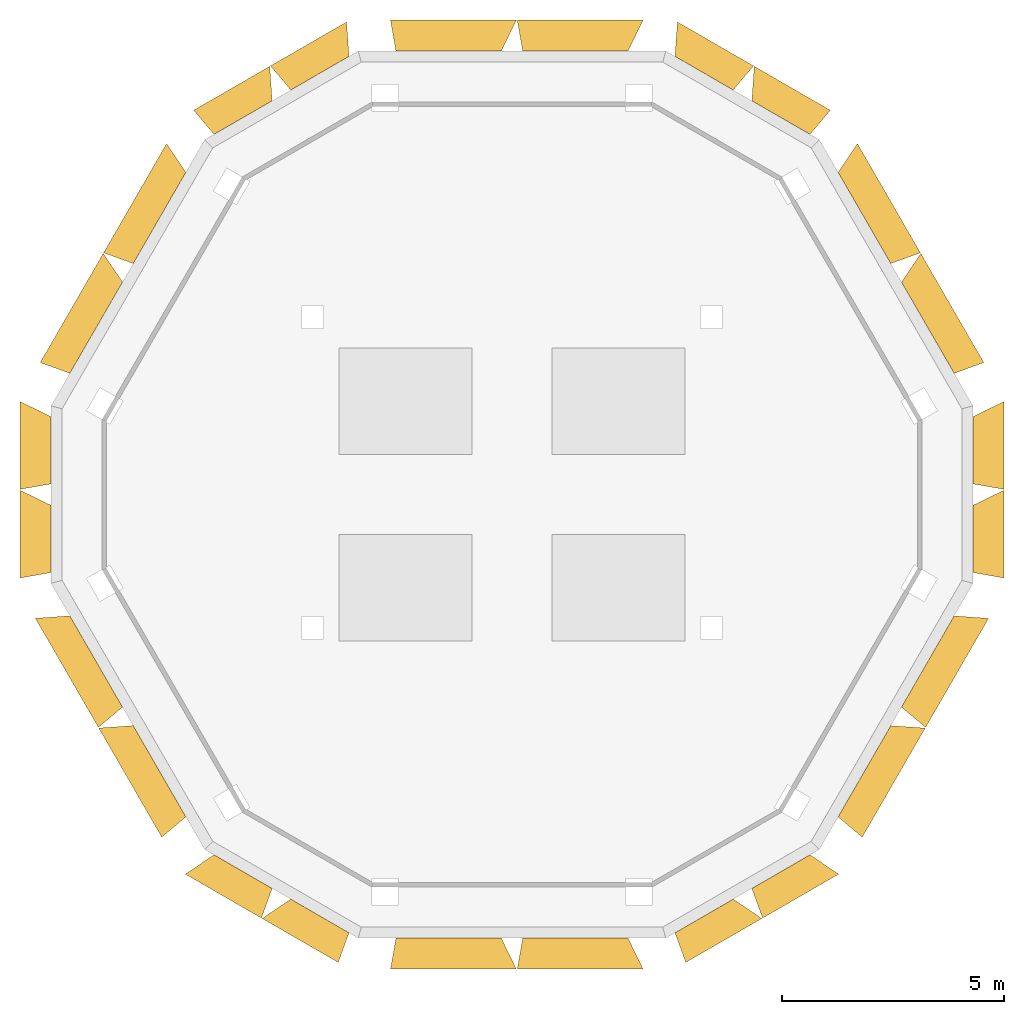
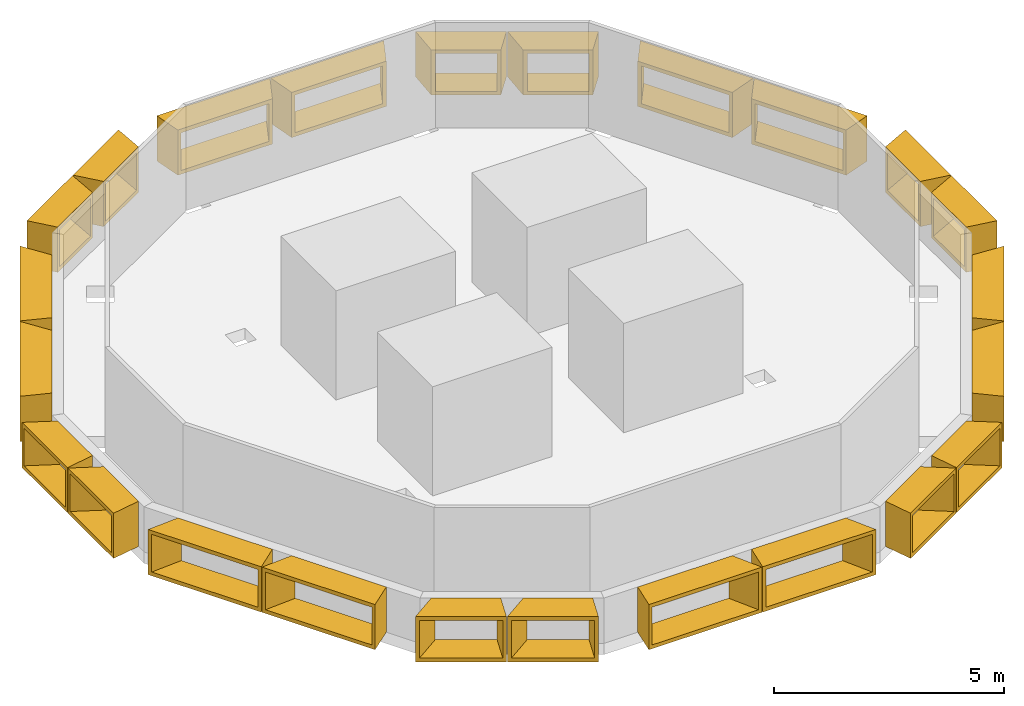
# One storey, part 2 of 3: 24 shading devices.
"""IFC4 building model written with IfcOpenShell, lengths in metres."""

import ifcopenshell
import ifcopenshell.guid

model = None  # the IFC model being written
_history = None  # IfcOwnerHistory: only IFC2X3 demands one
_inside = {}  # id of a spatial element -> (the spatial element, [elements in it])
_under = {}  # id of a project, library or spatial element -> (it, [spatial elements below it])
_declared = {}  # id of a project -> (the project, [libraries it declares])
_typed = {}  # id of a type object -> (the type object, [elements of that type])
_made_of = {}  # id of a material, layer set ... -> (it, [elements and type objects made of it])


def new_model(schema):
    """Start an empty IFC model of exactly this schema.

    Asked for "IFC4X3", IfcOpenShell would pick the latest addendum, in which some entities
    have other attributes; the version numbers below select the first issue.
    IFC2X3 requires an IfcOwnerHistory on every rooted entity: one is made here for all.
    """
    global model, _history
    if schema == "IFC4X3":
        model = ifcopenshell.file(schema_version=(4, 3, 0, 0))
    else:
        model = ifcopenshell.file(schema=schema)
    _inside.clear()
    _under.clear()
    _declared.clear()
    _typed.clear()
    _made_of.clear()
    _history = None
    if model.schema == "IFC2X3":
        org = make("IfcOrganization", Name="unknown")
        user = make(
            "IfcPersonAndOrganization",
            ThePerson=make("IfcPerson", FamilyName="unknown"),
            TheOrganization=org,
        )
        app = make(
            "IfcApplication",
            ApplicationDeveloper=org,
            Version="unknown",
            ApplicationFullName="unknown",
            ApplicationIdentifier="unknown",
        )
        _history = make(
            "IfcOwnerHistory",
            OwningUser=user,
            OwningApplication=app,
            ChangeAction="ADDED",
            CreationDate=0,
        )
    return model


def make(cls, **values):
    """One entity of the class cls with the attributes given. An attribute that is None is left unset."""
    return model.create_entity(
        cls, **{name: value for name, value in values.items() if value is not None}
    )


def entity(cls, *values):
    """Any entity or typed value of the class cls, its attributes in the order of the schema. None: left unset."""
    e = model.create_entity(cls)
    for i, value in enumerate(values):
        if value is not None:
            e[i] = value
    return e


def rooted(cls, **values):
    """An entity with a GlobalId (a new one), such as an element, a storey or a relation."""
    return make(cls, GlobalId=ifcopenshell.guid.new(), OwnerHistory=_history, **values)


def si_unit(unit_type, name, prefix=None):
    """IfcSIUnit, for example si_unit("LENGTHUNIT", "METRE", prefix="MILLI")."""
    return make("IfcSIUnit", UnitType=unit_type, Prefix=prefix, Name=name)


def assignment(units):
    """IfcUnitAssignment: the units of a project."""
    return None if units is None else make("IfcUnitAssignment", Units=units)


def point(xyz):
    """IfcCartesianPoint."""
    return None if xyz is None else make("IfcCartesianPoint", Coordinates=xyz)


def direction(xyz):
    """IfcDirection."""
    return None if xyz is None else make("IfcDirection", DirectionRatios=xyz)


def frame(location, z_axis=None, x_axis=None):
    """IfcAxis2Placement3D, a coordinate frame: its origin and axes. An axis left out is left unset."""
    return make(
        "IfcAxis2Placement3D",
        Location=point(location),
        Axis=direction(z_axis),
        RefDirection=direction(x_axis),
    )


def origin():
    """The frame at (0, 0, 0) with its axes left unset."""
    return frame((0.0, 0.0, 0.0))


def place(relative_to, where):
    """IfcLocalPlacement: puts the frame where relative to a parent placement (None: the world)."""
    return make(
        "IfcLocalPlacement", PlacementRelTo=relative_to, RelativePlacement=where
    )


def context(
    kind, dimensions, precision=None, world=None, true_north=None, identifier=None
):
    """IfcGeometricRepresentationContext, for example the 3D "Model" context."""
    return make(
        "IfcGeometricRepresentationContext",
        ContextIdentifier=identifier,
        ContextType=kind,
        CoordinateSpaceDimension=dimensions,
        Precision=precision,
        WorldCoordinateSystem=world,
        TrueNorth=true_north,
    )


def subcontext(parent, identifier, kind, view, scale=None):
    """IfcGeometricRepresentationSubContext, for example "Body" below "Model"."""
    return make(
        "IfcGeometricRepresentationSubContext",
        ContextIdentifier=identifier,
        ContextType=kind,
        ParentContext=parent,
        TargetScale=scale,
        TargetView=view,
    )


def project(units=None, contexts=None):
    """IfcProject with its units and contexts."""
    return rooted(
        "IfcProject",
        Name="project",
        RepresentationContexts=contexts,
        UnitsInContext=assignment(units),
    )


def spatial(cls, under=None, at=None, **own):
    """A site, building, storey or space (cls), placed at a placement, below another one or the project."""
    s = rooted(cls, ObjectPlacement=at, **own)
    if under is not None:
        _under.setdefault(under.id(), (under, []))[1].append(s)
    return s


def shape(context_of_items, identifier, shape_type, items):
    """IfcShapeRepresentation: the items that make up one representation, for example the "Body"."""
    return make(
        "IfcShapeRepresentation",
        ContextOfItems=context_of_items,
        RepresentationIdentifier=identifier,
        RepresentationType=shape_type,
        Items=items,
    )


def source(mapping_origin, context_of_items, identifier, shape_type, items):
    """IfcRepresentationMap: a shape defined once, which mapped items show again and again."""
    return make(
        "IfcRepresentationMap",
        MappingOrigin=mapping_origin,
        MappedRepresentation=shape(context_of_items, identifier, shape_type, items),
    )


def transform(
    local_origin,
    x_axis=None,
    y_axis=None,
    z_axis=None,
    scale=None,
    scale2=None,
    scale3=None,
    uniform=True,
):
    """IfcCartesianTransformationOperator3D, or its non-uniform kind. x_axis, y_axis, z_axis: its Axis1, 2, 3."""
    if uniform:
        return make(
            "IfcCartesianTransformationOperator3D",
            Axis1=direction(x_axis),
            Axis2=direction(y_axis),
            LocalOrigin=point(local_origin),
            Scale=scale,
            Axis3=direction(z_axis),
        )
    return make(
        "IfcCartesianTransformationOperator3DnonUniform",
        Axis1=direction(x_axis),
        Axis2=direction(y_axis),
        LocalOrigin=point(local_origin),
        Scale=scale,
        Axis3=direction(z_axis),
        Scale2=scale2,
        Scale3=scale3,
    )


def mapped(mapping_source, mapping_target):
    """IfcMappedItem: shows the shape of a source again, moved by a transform."""
    return make(
        "IfcMappedItem", MappingSource=mapping_source, MappingTarget=mapping_target
    )


def material(Name=None, Category=None):
    """IfcMaterial."""
    return make("IfcMaterial", Name=Name, Category=Category)


def made_of(thing, what):
    """Note that an element or type object is made of a material, layer set ...; save() writes the relation."""
    if what is not None:
        _made_of.setdefault(what.id(), (what, []))[1].append(thing)
    return thing


def type_object(cls, material=None, **own):
    """A type object (cls), such as IfcWallType, which elements share."""
    return made_of(rooted(cls, **own), material)


def type_shapes(of_type, sources):
    """Give a type object the sources (RepresentationMaps) that its elements show as mapped items."""
    of_type.RepresentationMaps = sources


def element(
    cls,
    number,
    at=None,
    inside=None,
    cuts=None,
    type_object=None,
    material=None,
    context=None,
    identifier="Body",
    shape_type=None,
    held_by="IfcProductDefinitionShape",
    body=None,
    shapes=None,
    **own,
):
    """One element of the class cls, such as IfcWall. Its Tag is "e" and its number.

    at: its placement. inside: the storey or other place that contains it. cuts: it is an
    opening in that element (IfcRelVoidsElement). A single representation is given by context,
    identifier, shape_type and body (its items); several are given by shapes. held_by: the class
    of the entity that holds the representations. save() writes the other relations.
    """
    e = rooted(cls, Tag="e%d" % number, ObjectPlacement=at, **own)
    if body is not None:
        shapes = [shape(context, identifier, shape_type, body)]
    if shapes is not None:
        e.Representation = make(held_by, Representations=shapes)
    if inside is not None:
        _inside.setdefault(inside.id(), (inside, []))[1].append(e)
    if cuts is not None:
        rooted(
            "IfcRelVoidsElement", RelatingBuildingElement=cuts, RelatedOpeningElement=e
        )
    if type_object is not None:
        _typed.setdefault(type_object.id(), (type_object, []))[1].append(e)
    return made_of(e, material)


def aggregate(whole, parts):
    """IfcRelAggregates: a whole, such as a stair, and the parts it consists of."""
    return rooted("IfcRelAggregates", RelatingObject=whole, RelatedObjects=parts)


def save(model, path):
    """Write the relations noted so far, then the file.

    IfcRelAggregates (storeys below a building ...), IfcRelContainedInSpatialStructure (elements
    in a storey), IfcRelDefinesByType, IfcRelAssociatesMaterial and IfcRelDeclares: one each for
    every whole, place, type object, material and project.
    """
    for whole, parts in _under.values():
        aggregate(whole, parts)
    for where, things in _inside.values():
        rooted(
            "IfcRelContainedInSpatialStructure",
            RelatedElements=things,
            RelatingStructure=where,
        )
    for kind, things in _typed.values():
        rooted("IfcRelDefinesByType", RelatedObjects=things, RelatingType=kind)
    for what, things in _made_of.values():
        rooted("IfcRelAssociatesMaterial", RelatedObjects=things, RelatingMaterial=what)
    for by, libraries in _declared.values():
        rooted("IfcRelDeclares", RelatingContext=by, RelatedDefinitions=libraries)
    model.write(path)


model = new_model("IFC4")

# Units and contexts
model_context = context("Model", 3, precision=1e-05, world=origin(), true_north=direction((0.0, 1.0)))
body_context = subcontext(model_context, "Body", "Model", "MODEL_VIEW")
ifc_project = project(units=[si_unit("LENGTHUNIT", "METRE"), si_unit("AREAUNIT", "SQUARE_METRE"), si_unit("VOLUMEUNIT", "CUBIC_METRE"), si_unit("PLANEANGLEUNIT", "RADIAN"), si_unit("MASSUNIT", "GRAM", prefix="KILO")], contexts=[model_context])

# Site, building, storey
site_placement = place(None, origin())
site = spatial("IfcSite", under=ifc_project, at=site_placement, CompositionType="ELEMENT")
building_placement = place(site_placement, origin())
building = spatial("IfcBuilding", under=site, at=building_placement, Name="Beryl Residences", CompositionType="ELEMENT")
storey_placement = place(building_placement, frame((0.0, 0.0, 262.800048828125)))
storey = spatial("IfcBuildingStorey", under=building, at=storey_placement, Name="ROOF", CompositionType="ELEMENT", Elevation=262.800048828125)

# Shading devices
ifc_material_1 = material(Name="Aluminium pale anodised", Category="aluminium")
shading_device_type_1 = type_object("IfcShadingDeviceType", Name="FR200-70B-H12 OUTER SKIN frame 700 mm deep, splay 26/10 deg, 2000 x 1200 mm cell", PredefinedType="USERDEFINED", material=ifc_material_1)
cartesian_point_1 = entity("IfcCartesianPoint", [-0.757568359375, 0.0])
cartesian_point_2 = entity("IfcCartesianPoint", [-0.66845703125, 0.10009765625])
cartesian_point_3 = entity("IfcCartesianPoint", [-1.098876953125, 0.0])
cartesian_point_4 = entity("IfcCartesianPoint", [-1.010009765625, 0.10009765625])
shared_shape_1 = source(origin(), body_context, "Body", "SweptSolid", [
    entity("IfcExtrudedAreaSolidTapered", entity("IfcArbitraryProfileDefWithVoids", "AREA", None, entity("IfcPolyline", [cartesian_point_1, entity("IfcCartesianPoint", [0.757568359375, 0.0]), entity("IfcCartesianPoint", [0.757568359375, 1.199951171875]), entity("IfcCartesianPoint", [-0.757568359375, 1.199951171875]), cartesian_point_1]), [entity("IfcPolyline", [cartesian_point_2, entity("IfcCartesianPoint", [0.67626953125, 0.10009765625]), entity("IfcCartesianPoint", [0.67626953125, 1.10009765625]), entity("IfcCartesianPoint", [-0.66845703125, 1.10009765625]), cartesian_point_2])]), entity("IfcAxis2Placement3D", entity("IfcCartesianPoint", [0.0, 0.0, 0.0]), entity("IfcDirection", [0.0, 1.0, 0.0]), entity("IfcDirection", [-1.0, 0.0, 0.0])), entity("IfcDirection", [0.0, 0.0, 1.0]), 0.699951171875, entity("IfcArbitraryProfileDefWithVoids", "AREA", None, entity("IfcPolyline", [cartesian_point_3, entity("IfcCartesianPoint", [0.880859375, 0.0]), entity("IfcCartesianPoint", [0.880859375, 1.199951171875]), entity("IfcCartesianPoint", [-1.098876953125, 1.199951171875]), cartesian_point_3]), [entity("IfcPolyline", [cartesian_point_4, entity("IfcCartesianPoint", [0.7998046875, 0.10009765625]), entity("IfcCartesianPoint", [0.7998046875, 1.10009765625]), entity("IfcCartesianPoint", [-1.010009765625, 1.10009765625]), cartesian_point_4])])),
])
type_shapes(shading_device_type_1, [shared_shape_1])
for number, where, z_axis, x_axis, name in (
    (1, (-4.3310546875, 9.5, 0.0), (0.0, 0.0, 1.0), (0.866025403784, 0.5, 0.0), "FR200-70B-H12 frame L81 N-NW 1"),
    (2, (-6.06298828125, 8.5, 0.0), (0.0, 0.0, 1.0), (0.866025403784, 0.5, 0.0), "FR200-70B-H12 frame L81 N-NW 2"),
    (3, (-10.39208984375, 1.0, 0.0), (0.0, 0.0, 1.0), (0.0, 1.0, 0.0), "FR200-70B-H12 frame L81 NW-SW 1"),
    (4, (-10.39208984375, -1.0, 0.0), (0.0, 0.0, 1.0), (0.0, 1.0, 0.0), "FR200-70B-H12 frame L81 NW-SW 2"),
    (5, (-6.06298828125, -8.5, 0.0), (0.0, 0.0, 1.0), (-0.866025403784, 0.5, 0.0), "FR200-70B-H12 frame L81 SW-S 1"),
    (6, (-4.3310546875, -9.5, 0.0), (0.0, 0.0, 1.0), (-0.866025403784, 0.5, 0.0), "FR200-70B-H12 frame L81 SW-S 2"),
):
    element("IfcShadingDevice", number, at=place(storey_placement, frame(where, z_axis=z_axis, x_axis=x_axis)), inside=storey, type_object=shading_device_type_1, Name=name, ObjectType="OUTER SKIN", PredefinedType="USERDEFINED", context=body_context, shape_type="MappedRepresentation", body=[
        mapped(shared_shape_1, transform((0.0, 0.0, 0.0))),
    ])
ifc_material_2 = material(Name="Aluminium pale anodised", Category="aluminium")
shading_device_type_2 = type_object("IfcShadingDeviceType", Name="FR200-70C-H12 OUTER SKIN frame 700 mm deep, splay 10/26 deg, 2000 x 1200 mm cell", PredefinedType="USERDEFINED", material=ifc_material_2)
cartesian_point_5 = entity("IfcCartesianPoint", [-0.757568359375, 0.0])
cartesian_point_6 = entity("IfcCartesianPoint", [-0.67626953125, 0.10009765625])
cartesian_point_7 = entity("IfcCartesianPoint", [-0.880859375, 0.0])
cartesian_point_8 = entity("IfcCartesianPoint", [-0.7998046875, 0.10009765625])
shared_shape_2 = source(origin(), body_context, "Body", "SweptSolid", [
    entity("IfcExtrudedAreaSolidTapered", entity("IfcArbitraryProfileDefWithVoids", "AREA", None, entity("IfcPolyline", [cartesian_point_5, entity("IfcCartesianPoint", [0.757568359375, 0.0]), entity("IfcCartesianPoint", [0.757568359375, 1.199951171875]), entity("IfcCartesianPoint", [-0.757568359375, 1.199951171875]), cartesian_point_5]), [entity("IfcPolyline", [cartesian_point_6, entity("IfcCartesianPoint", [0.66845703125, 0.10009765625]), entity("IfcCartesianPoint", [0.66845703125, 1.10009765625]), entity("IfcCartesianPoint", [-0.67626953125, 1.10009765625]), cartesian_point_6])]), entity("IfcAxis2Placement3D", entity("IfcCartesianPoint", [0.0, 0.0, 0.0]), entity("IfcDirection", [0.0, 1.0, 0.0]), entity("IfcDirection", [-1.0, 0.0, 0.0])), entity("IfcDirection", [0.0, 0.0, 1.0]), 0.699951171875, entity("IfcArbitraryProfileDefWithVoids", "AREA", None, entity("IfcPolyline", [cartesian_point_7, entity("IfcCartesianPoint", [1.098876953125, 0.0]), entity("IfcCartesianPoint", [1.098876953125, 1.199951171875]), entity("IfcCartesianPoint", [-0.880859375, 1.199951171875]), cartesian_point_7]), [entity("IfcPolyline", [cartesian_point_8, entity("IfcCartesianPoint", [1.010009765625, 0.10009765625]), entity("IfcCartesianPoint", [1.010009765625, 1.10009765625]), entity("IfcCartesianPoint", [-0.7998046875, 1.10009765625]), cartesian_point_8])])),
])
type_shapes(shading_device_type_2, [shared_shape_2])
for number, where, z_axis, x_axis, name in (
    (7, (4.3310546875, -9.5, 0.0), (0.0, 0.0, 1.0), (-0.866025403784, -0.5, 0.0), "FR200-70C-H12 frame L81 S-SE 1"),
    (8, (6.06298828125, -8.5, 0.0), (0.0, 0.0, 1.0), (-0.866025403784, -0.5, 0.0), "FR200-70C-H12 frame L81 S-SE 2"),
    (9, (10.39208984375, -1.0, 0.0), (0.0, 0.0, 1.0), (0.0, -1.0, 0.0), "FR200-70C-H12 frame L81 SE-NE 1"),
    (10, (10.39208984375, 1.0, 0.0), (0.0, 0.0, 1.0), (0.0, -1.0, 0.0), "FR200-70C-H12 frame L81 SE-NE 2"),
    (11, (6.06298828125, 8.5, 0.0), (0.0, 0.0, 1.0), (0.866025403784, -0.5, 0.0), "FR200-70C-H12 frame L81 NE-N 1"),
    (12, (4.3310546875, 9.5, 0.0), (0.0, 0.0, 1.0), (0.866025403784, -0.5, 0.0), "FR200-70C-H12 frame L81 NE-N 2"),
):
    element("IfcShadingDevice", number, at=place(storey_placement, frame(where, z_axis=z_axis, x_axis=x_axis)), inside=storey, type_object=shading_device_type_2, Name=name, ObjectType="OUTER SKIN", PredefinedType="USERDEFINED", context=body_context, shape_type="MappedRepresentation", body=[
        mapped(shared_shape_2, transform((0.0, 0.0, 0.0))),
    ])
ifc_material_3 = material(Name="Aluminium pale anodised", Category="aluminium")
shading_device_type_3 = type_object("IfcShadingDeviceType", Name="FR286-70B-H12 OUTER SKIN frame 700 mm deep, splay 26/10 deg, 2860 x 1200 mm cell", PredefinedType="USERDEFINED", material=ifc_material_3)
cartesian_point_9 = entity("IfcCartesianPoint", [-1.1875, 0.0])
cartesian_point_10 = entity("IfcCartesianPoint", [-1.098388671875, 0.10009765625])
cartesian_point_11 = entity("IfcCartesianPoint", [-1.52880859375, 0.0])
cartesian_point_12 = entity("IfcCartesianPoint", [-1.43994140625, 0.10009765625])
shared_shape_3 = source(origin(), body_context, "Body", "SweptSolid", [
    entity("IfcExtrudedAreaSolidTapered", entity("IfcArbitraryProfileDefWithVoids", "AREA", None, entity("IfcPolyline", [cartesian_point_9, entity("IfcCartesianPoint", [1.1875, 0.0]), entity("IfcCartesianPoint", [1.1875, 1.199951171875]), entity("IfcCartesianPoint", [-1.1875, 1.199951171875]), cartesian_point_9]), [entity("IfcPolyline", [cartesian_point_10, entity("IfcCartesianPoint", [1.106201171875, 0.10009765625]), entity("IfcCartesianPoint", [1.106201171875, 1.10009765625]), entity("IfcCartesianPoint", [-1.098388671875, 1.10009765625]), cartesian_point_10])]), entity("IfcAxis2Placement3D", entity("IfcCartesianPoint", [0.0, 0.0, 0.0]), entity("IfcDirection", [0.0, 1.0, 0.0]), entity("IfcDirection", [-1.0, 0.0, 0.0])), entity("IfcDirection", [0.0, 0.0, 1.0]), 0.699951171875, entity("IfcArbitraryProfileDefWithVoids", "AREA", None, entity("IfcPolyline", [cartesian_point_11, entity("IfcCartesianPoint", [1.31103515625, 0.0]), entity("IfcCartesianPoint", [1.31103515625, 1.199951171875]), entity("IfcCartesianPoint", [-1.52880859375, 1.199951171875]), cartesian_point_11]), [entity("IfcPolyline", [cartesian_point_12, entity("IfcCartesianPoint", [1.229736328125, 0.10009765625]), entity("IfcCartesianPoint", [1.229736328125, 1.10009765625]), entity("IfcCartesianPoint", [-1.43994140625, 1.10009765625]), cartesian_point_12])])),
])
type_shapes(shading_device_type_3, [shared_shape_3])
for number, where, z_axis, x_axis, name in (
    (13, (1.428955078125, 10.0, 0.0), (0.0, 0.0, 1.0), (1.0, 0.0, 0.0), "FR286-70B-H12 frame L81 N 1"),
    (14, (-1.428955078125, 10.0, 0.0), (0.0, 0.0, 1.0), (1.0, 0.0, 0.0), "FR286-70B-H12 frame L81 N 2"),
    (15, (-7.945068359375, 6.238037109375, 0.0), (0.0, 0.0, 1.0), (0.5, 0.866025403784, 0.0), "FR286-70B-H12 frame L81 NW 1"),
    (16, (-9.3740234375, 3.762939453125, 0.0), (0.0, 0.0, 1.0), (0.5, 0.866025403784, 0.0), "FR286-70B-H12 frame L81 NW 2"),
    (17, (-9.375, -3.761962890625, 0.0), (0.0, 0.0, 1.0), (-0.5, 0.866025403784, 0.0), "FR286-70B-H12 frame L81 SW 1"),
    (18, (-7.946044921875, -6.237060546875, 0.0), (0.0, 0.0, 1.0), (-0.5, 0.866025403784, 0.0), "FR286-70B-H12 frame L81 SW 2"),
):
    element("IfcShadingDevice", number, at=place(storey_placement, frame(where, z_axis=z_axis, x_axis=x_axis)), inside=storey, type_object=shading_device_type_3, Name=name, ObjectType="OUTER SKIN", PredefinedType="USERDEFINED", context=body_context, shape_type="MappedRepresentation", body=[
        mapped(shared_shape_3, transform((0.0, 0.0, 0.0))),
    ])
ifc_material_4 = material(Name="Aluminium pale anodised", Category="aluminium")
shading_device_type_4 = type_object("IfcShadingDeviceType", Name="FR286-70C-H12 OUTER SKIN frame 700 mm deep, splay 10/26 deg, 2860 x 1200 mm cell", PredefinedType="USERDEFINED", material=ifc_material_4)
cartesian_point_13 = entity("IfcCartesianPoint", [-1.1875, 0.0])
cartesian_point_14 = entity("IfcCartesianPoint", [-1.106201171875, 0.10009765625])
cartesian_point_15 = entity("IfcCartesianPoint", [-1.31103515625, 0.0])
cartesian_point_16 = entity("IfcCartesianPoint", [-1.229736328125, 0.10009765625])
shared_shape_4 = source(origin(), body_context, "Body", "SweptSolid", [
    entity("IfcExtrudedAreaSolidTapered", entity("IfcArbitraryProfileDefWithVoids", "AREA", None, entity("IfcPolyline", [cartesian_point_13, entity("IfcCartesianPoint", [1.1875, 0.0]), entity("IfcCartesianPoint", [1.1875, 1.199951171875]), entity("IfcCartesianPoint", [-1.1875, 1.199951171875]), cartesian_point_13]), [entity("IfcPolyline", [cartesian_point_14, entity("IfcCartesianPoint", [1.098388671875, 0.10009765625]), entity("IfcCartesianPoint", [1.098388671875, 1.10009765625]), entity("IfcCartesianPoint", [-1.106201171875, 1.10009765625]), cartesian_point_14])]), entity("IfcAxis2Placement3D", entity("IfcCartesianPoint", [0.0, 0.0, 0.0]), entity("IfcDirection", [0.0, 1.0, 0.0]), entity("IfcDirection", [-1.0, 0.0, 0.0])), entity("IfcDirection", [0.0, 0.0, 1.0]), 0.699951171875, entity("IfcArbitraryProfileDefWithVoids", "AREA", None, entity("IfcPolyline", [cartesian_point_15, entity("IfcCartesianPoint", [1.52880859375, 0.0]), entity("IfcCartesianPoint", [1.52880859375, 1.199951171875]), entity("IfcCartesianPoint", [-1.31103515625, 1.199951171875]), cartesian_point_15]), [entity("IfcPolyline", [cartesian_point_16, entity("IfcCartesianPoint", [1.43994140625, 0.10009765625]), entity("IfcCartesianPoint", [1.43994140625, 1.10009765625]), entity("IfcCartesianPoint", [-1.229736328125, 1.10009765625]), cartesian_point_16])])),
])
type_shapes(shading_device_type_4, [shared_shape_4])
for number, where, z_axis, x_axis, name in (
    (19, (-1.428955078125, -10.0, 0.0), (0.0, 0.0, 1.0), (-1.0, 0.0, 0.0), "FR286-70C-H12 frame L81 S 1"),
    (20, (1.428955078125, -10.0, 0.0), (0.0, 0.0, 1.0), (-1.0, 0.0, 0.0), "FR286-70C-H12 frame L81 S 2"),
    (21, (7.945068359375, -6.238037109375, 0.0), (0.0, 0.0, 1.0), (-0.5, -0.866025403784, 0.0), "FR286-70C-H12 frame L81 SE 1"),
    (22, (9.3740234375, -3.762939453125, 0.0), (0.0, 0.0, 1.0), (-0.5, -0.866025403784, 0.0), "FR286-70C-H12 frame L81 SE 2"),
    (23, (9.375, 3.761962890625, 0.0), (0.0, 0.0, 1.0), (0.5, -0.866025403784, 0.0), "FR286-70C-H12 frame L81 NE 1"),
    (24, (7.946044921875, 6.237060546875, 0.0), (0.0, 0.0, 1.0), (0.5, -0.866025403784, 0.0), "FR286-70C-H12 frame L81 NE 2"),
):
    element("IfcShadingDevice", number, at=place(storey_placement, frame(where, z_axis=z_axis, x_axis=x_axis)), inside=storey, type_object=shading_device_type_4, Name=name, ObjectType="OUTER SKIN", PredefinedType="USERDEFINED", context=body_context, shape_type="MappedRepresentation", body=[
        mapped(shared_shape_4, transform((0.0, 0.0, 0.0))),
    ])

save(model, "model.ifc")
